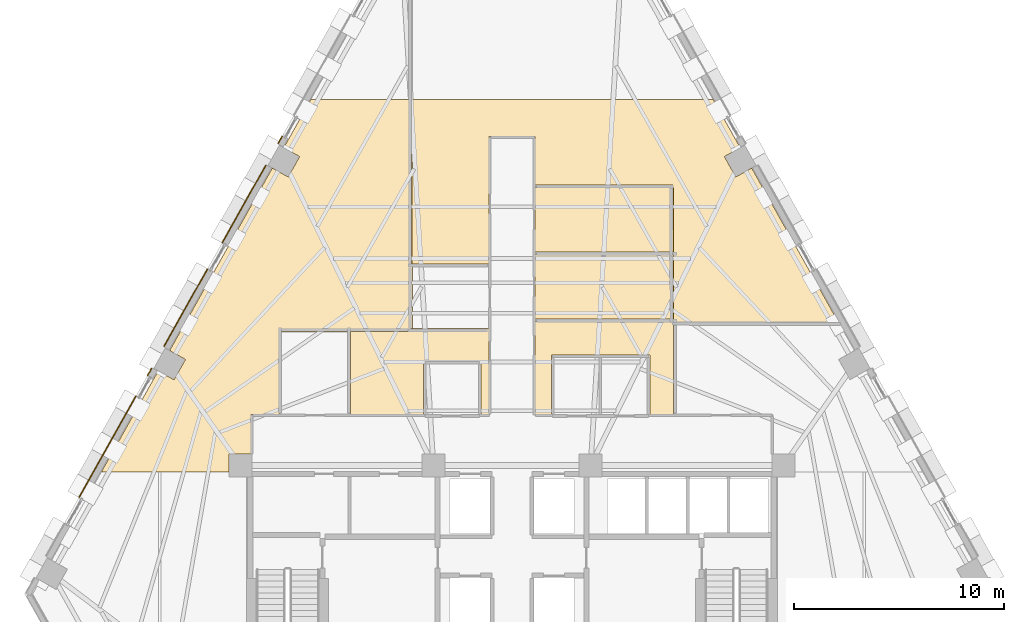
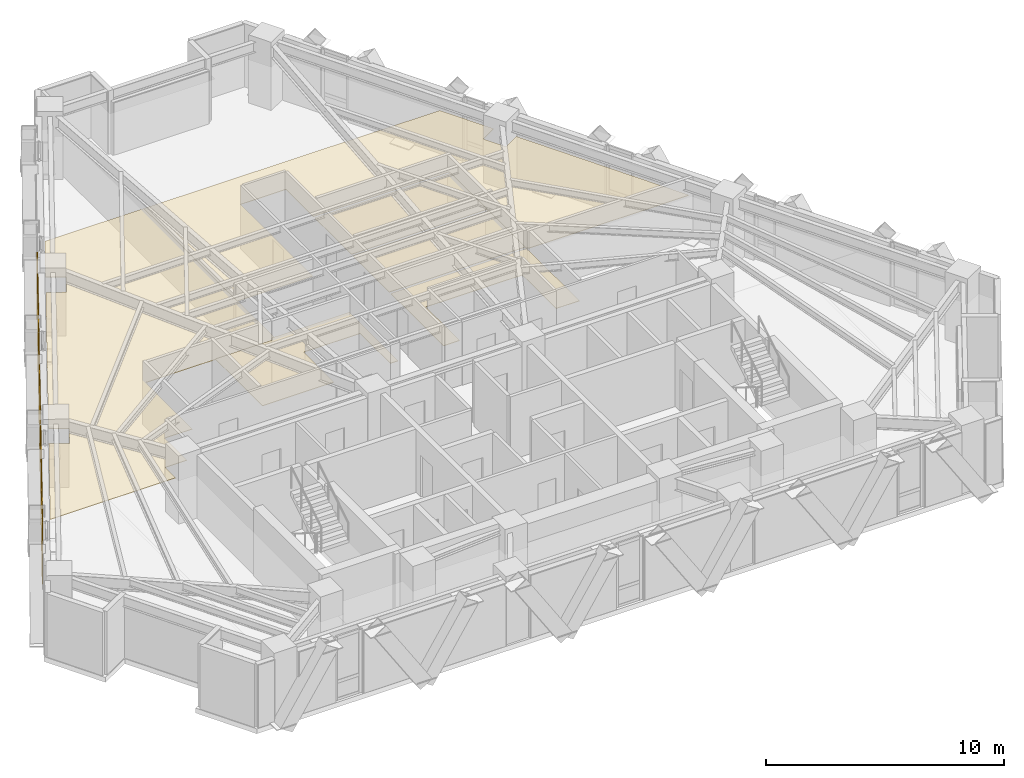
# One storey, part 11 of 13: 11 coverings.
"""IFC4 building model written with IfcOpenShell, lengths in metres."""

from ifc_helpers import new_model, si_unit, direction, frame, origin, place, context, subcontext, project, spatial, polyline, outline, extrude, material, layer, layer_set, type_object, element, save


model = new_model("IFC4")

# Units and contexts
model_context = context("Model", 3, precision=1e-05, world=origin(), true_north=direction((0.0, 1.0)))
body_context = subcontext(model_context, "Body", "Model", "MODEL_VIEW")
ifc_project = project(units=[si_unit("LENGTHUNIT", "METRE"), si_unit("AREAUNIT", "SQUARE_METRE"), si_unit("VOLUMEUNIT", "CUBIC_METRE"), si_unit("PLANEANGLEUNIT", "RADIAN"), si_unit("MASSUNIT", "GRAM", prefix="KILO")], contexts=[model_context])

# Site, building, storey
site_placement = place(None, origin())
site = spatial("IfcSite", under=ifc_project, at=site_placement, CompositionType="ELEMENT")
building_placement = place(site_placement, origin())
building = spatial("IfcBuilding", under=site, at=building_placement, Name="Quenlor Broadcast Tower", CompositionType="ELEMENT")
storey_placement = place(building_placement, frame((0.0, 0.0, 109.0)))
storey = spatial("IfcBuildingStorey", under=building, at=storey_placement, Name="L29", CompositionType="ELEMENT", Elevation=109.0)

# Coverings
ifc_material_1 = material(Name="Acoustic Mineral Fibre Board", Category="other")
ifc_layer_1 = layer(ifc_material_1, 0.02490234375)
ifc_layer_set_1 = layer_set([ifc_layer_1], Name="Acoustic Perforated Mineral Tile Ceiling 25")
covering_type_1 = type_object("IfcCoveringType", Name="Acoustic Perforated Mineral Tile Ceiling 25", PredefinedType="CEILING", material=ifc_layer_set_1)
covering_1_placement = place(storey_placement, frame((0.0, 0.0, 2.22509765625)))
element("IfcCovering", 1, at=covering_1_placement, inside=storey, type_object=covering_type_1, Name="L29 Acoustic Ceiling L29-29", PredefinedType="CEILING", context=body_context, shape_type="SweptSolid", body=[
    extrude(outline(polyline([(15.483642578125, 2.030029296875), (7.820068359375, 2.030029296875), (7.790771484375, 2.032958984375), (7.7626953125, 2.04150390625), (7.73681640625, 2.055419921875), (7.7138671875, 2.073974609375), (7.6953125, 2.0966796875), (7.681396484375, 2.12255859375), (7.6728515625, 2.150634765625), (7.669921875, 2.179931640625), (7.669921875, 8.4599609375), (7.6728515625, 8.4892578125), (7.681396484375, 8.517333984375), (7.676513671875, 8.53662109375), (7.670654296875, 8.565185546875), (1.10009765625, 8.580078125), (1.10009765625, 10.8798828125), (-1.10009765625, 10.8798828125), (-1.10009765625, 4.81005859375), (-4.780029296875, 4.81005859375), (-4.780029296875, 12.64990234375), (9.59423828125, 12.64990234375), (10.883544921875, 10.35791015625), (10.126953125, 9.9326171875), (10.674072265625, 8.959716796875), (11.4306640625, 9.38525390625), (15.55712890625, 2.04931640625), (15.54150390625, 2.041748046875), (15.51318359375, 2.032958984375), (15.483642578125, 2.030029296875)])), origin(), (0.0, 0.0, 1.0), 0.02490234375),
])
covering_2_placement = place(storey_placement, frame((0.0, 0.0, 2.22509765625)))
element("IfcCovering", 2, at=covering_2_placement, inside=storey, type_object=covering_type_1, Name="L29 Acoustic Ceiling L29-30", PredefinedType="CEILING", context=body_context, shape_type="SweptSolid", body=[
    extrude(outline(polyline([(1.10009765625, 8.4599609375), (7.699951171875, 8.4599609375), (7.699951171875, 5.3798828125), (1.10009765625, 5.3798828125), (1.10009765625, 8.4599609375)])), origin(), (0.0, 0.0, 1.0), 0.02490234375),
])
covering_3_placement = place(storey_placement, frame((0.0, 0.0, 2.22509765625)))
element("IfcCovering", 3, at=covering_3_placement, inside=storey, type_object=covering_type_1, Name="L29 Acoustic Ceiling L29-31", PredefinedType="CEILING", context=body_context, shape_type="SweptSolid", body=[
    extrude(outline(polyline([(7.699951171875, 5.260009765625), (7.699951171875, 2.179931640625), (1.10009765625, 2.179931640625), (1.10009765625, 5.260009765625), (7.699951171875, 5.260009765625)])), origin(), (0.0, 0.0, 1.0), 0.02490234375),
])
covering_4_placement = place(storey_placement, frame((0.0, 0.0, 2.22509765625)))
element("IfcCovering", 4, at=covering_4_placement, inside=storey, type_object=covering_type_1, Name="L29 Acoustic Ceiling L29-33", PredefinedType="CEILING", context=body_context, shape_type="SweptSolid", body=[
    extrude(outline(polyline([(1.8798828125, -2.3701171875), (1.10009765625, -2.3701171875), (1.10009765625, 2.06005859375), (7.699951171875, 2.06005859375), (7.699951171875, -2.3701171875), (6.570068359375, -2.3701171875), (6.570068359375, 0.469970703125), (1.8798828125, 0.469970703125), (1.8798828125, -2.3701171875)])), origin(), (0.0, 0.0, 1.0), 0.02490234375),
])
covering_5_placement = place(storey_placement, frame((0.0, 0.0, 2.22509765625)))
element("IfcCovering", 5, at=covering_5_placement, inside=storey, type_object=covering_type_1, Name="L29 Acoustic Ceiling L29-34", PredefinedType="CEILING", context=body_context, shape_type="SweptSolid", body=[
    extrude(outline(polyline([(-4.90478515625, 1.67333984375), (-4.885986328125, 1.696044921875), (-4.86328125, 1.714599609375), (-4.83740234375, 1.728515625), (-4.809326171875, 1.737060546875), (-4.780029296875, 1.739990234375), (-1.10009765625, 1.739990234375), (-1.10009765625, -2.3701171875), (-1.47998046875, -2.3701171875), (-1.47998046875, 0.169921875), (-4.219970703125, 0.169921875), (-4.219970703125, -2.3701171875), (-4.929931640625, -2.3701171875), (-7.694580078125, -2.3701171875), (-7.694580078125, 1.590087890625), (-4.929931640625, 1.590087890625), (-4.927001953125, 1.619384765625), (-4.918701171875, 1.6474609375), (-4.90478515625, 1.67333984375)])), origin(), (0.0, 0.0, 1.0), 0.02490234375),
])
covering_6_placement = place(storey_placement, frame((0.0, 0.0, 2.22509765625)))
element("IfcCovering", 6, at=covering_6_placement, inside=storey, type_object=covering_type_1, Name="L29 Acoustic Ceiling L29-36", PredefinedType="CEILING", context=body_context, shape_type="SweptSolid", body=[
    extrude(outline(polyline([(-10.126953125, 9.9326171875), (-10.883544921875, 10.35791015625), (-9.59423828125, 12.64990234375), (-4.75, 12.64990234375), (-4.75, 4.81005859375), (-4.7529296875, 4.78076171875), (-4.761474609375, 4.752685546875), (-4.756591796875, 4.7333984375), (-4.750732421875, 4.70458984375), (-4.75, 1.7099609375), (-4.7529296875, 1.6806640625), (-4.761474609375, 1.652587890625), (-4.775390625, 1.626708984375), (-4.7939453125, 1.60400390625), (-4.816650390625, 1.585205078125), (-4.842529296875, 1.5712890625), (-4.87060546875, 1.56298828125), (-4.89990234375, 1.56005859375), (-10.97998046875, 1.56005859375), (-11.00927734375, 1.56298828125), (-11.037353515625, 1.5712890625), (-11.056396484375, 1.56640625), (-11.085205078125, 1.560791015625), (-11.10009765625, -2.3701171875), (-12.43994140625, -2.3701171875), (-12.43994140625, -4.241943359375), (-13.508056640625, -4.241943359375), (-13.508056640625, -5.1201171875), (-16.739990234375, -5.1201171875), (-16.860107421875, -5.1201171875), (-19.58984375, -5.1201171875), (-16.873779296875, -0.29150390625), (-16.1171875, -0.717041015625), (-15.5703125, 0.255615234375), (-16.32666015625, 0.68115234375), (-15.821533203125, 1.579345703125), (-15.10498046875, 2.852783203125), (-14.68798828125, 3.59423828125), (-14.24267578125, 4.38623046875), (-14.077880859375, 4.679443359375), (-11.4306640625, 9.38525390625), (-10.674072265625, 8.959716796875), (-10.126953125, 9.9326171875)])), origin(), (0.0, 0.0, 1.0), 0.02490234375),
])
ifc_material_2 = material(Name="Architectural Terracotta Ceramic", Category="masonry")
ifc_layer_2 = layer(ifc_material_2, 0.044921875)
ifc_layer_set_2 = layer_set([ifc_layer_2], Name="Fluted Terracotta Rainscreen Cladding Panel")
covering_type_2 = type_object("IfcCoveringType", Name="Fluted Terracotta Rainscreen Cladding Panel", PredefinedType="CLADDING", material=ifc_layer_set_2)
covering_7_placement = place(storey_placement, frame((0.0, 0.0, 0.02001953125)))
element("IfcCovering", 7, at=covering_7_placement, inside=storey, type_object=covering_type_2, Name="L29 Terracotta Rainscreen Cladding L29-NWA-SP2", PredefinedType="CLADDING", context=body_context, shape_type="SweptSolid", body=[
    extrude(outline(polyline([(-20.62744140625, -6.328369140625), (-17.912841796875, -1.502197265625), (-17.951904296875, -1.47998046875), (-20.666748046875, -6.306396484375), (-20.62744140625, -6.328369140625)])), origin(), (0.0, 0.0, 1.0), 3.2099609375),
])
covering_8_placement = place(storey_placement, frame((0.0, 0.0, 0.02001953125)))
element("IfcCovering", 8, at=covering_8_placement, inside=storey, type_object=covering_type_2, Name="L29 Terracotta Rainscreen Cladding L29-NWA-SP3", PredefinedType="CLADDING", context=body_context, shape_type="SweptSolid", body=[
    extrude(outline(polyline([(-17.36474609375, -0.528076171875), (-17.168701171875, -0.179443359375), (-17.2080078125, -0.157470703125), (-17.404052734375, -0.506103515625), (-17.36474609375, -0.528076171875)])), origin(), (0.0, 0.0, 1.0), 3.2099609375),
])
covering_9_placement = place(storey_placement, frame((0.0, 0.0, 0.02001953125)))
element("IfcCovering", 9, at=covering_9_placement, inside=storey, type_object=covering_type_2, Name="L29 Terracotta Rainscreen Cladding L29-NWC-SP1", PredefinedType="CLADDING", context=body_context, shape_type="SweptSolid", body=[
    extrude(outline(polyline([(-11.13232421875, 10.552001953125), (-10.936279296875, 10.900634765625), (-10.9755859375, 10.922607421875), (-11.171630859375, 10.57421875), (-11.13232421875, 10.552001953125)])), origin(), (0.0, 0.0, 1.0), 3.2099609375),
])
covering_10_placement = place(storey_placement, frame((0.0, 0.0, 0.02001953125)))
element("IfcCovering", 10, at=covering_10_placement, inside=storey, type_object=covering_type_2, Name="L29 Terracotta Rainscreen Cladding L29-NW-SP1", PredefinedType="CLADDING", context=body_context, shape_type="SweptSolid", body=[
    extrude(outline(polyline([(-16.577880859375, 0.870849609375), (-14.499755859375, 4.565673828125), (-14.538818359375, 4.587646484375), (-16.6171875, 0.892822265625), (-16.577880859375, 0.870849609375)])), origin(), (0.0, 0.0, 1.0), 3.2099609375),
])
covering_11_placement = place(storey_placement, frame((0.0, 0.0, 0.02001953125)))
element("IfcCovering", 11, at=covering_11_placement, inside=storey, type_object=covering_type_2, Name="L29 Terracotta Rainscreen Cladding L29-NW-SP2", PredefinedType="CLADDING", context=body_context, shape_type="SweptSolid", body=[
    extrude(outline(polyline([(-13.801513671875, 5.806884765625), (-11.72314453125, 9.501708984375), (-11.76220703125, 9.523681640625), (-13.8408203125, 5.8291015625), (-13.801513671875, 5.806884765625)])), origin(), (0.0, 0.0, 1.0), 3.2099609375),
])

save(model, "model.ifc")
